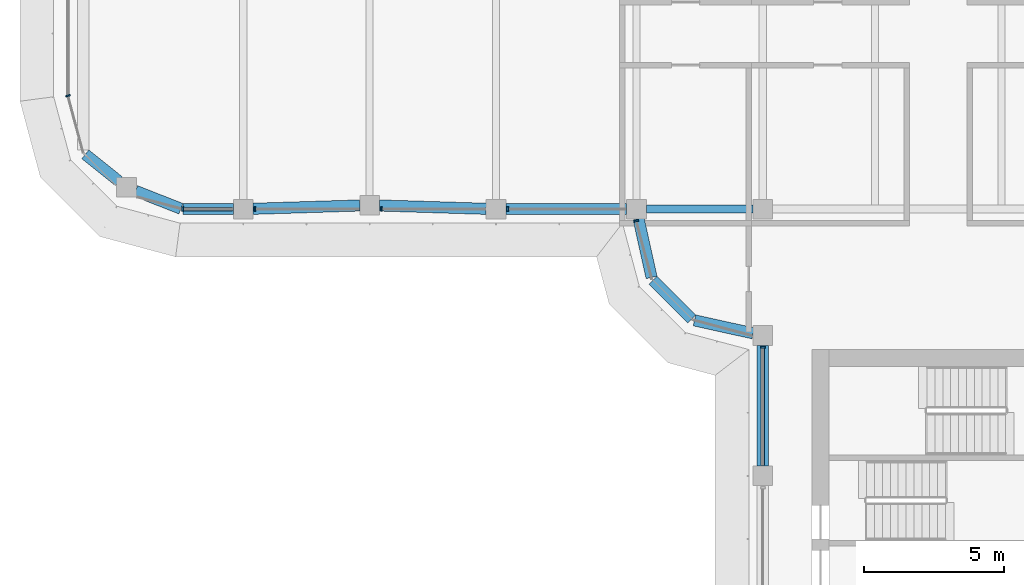
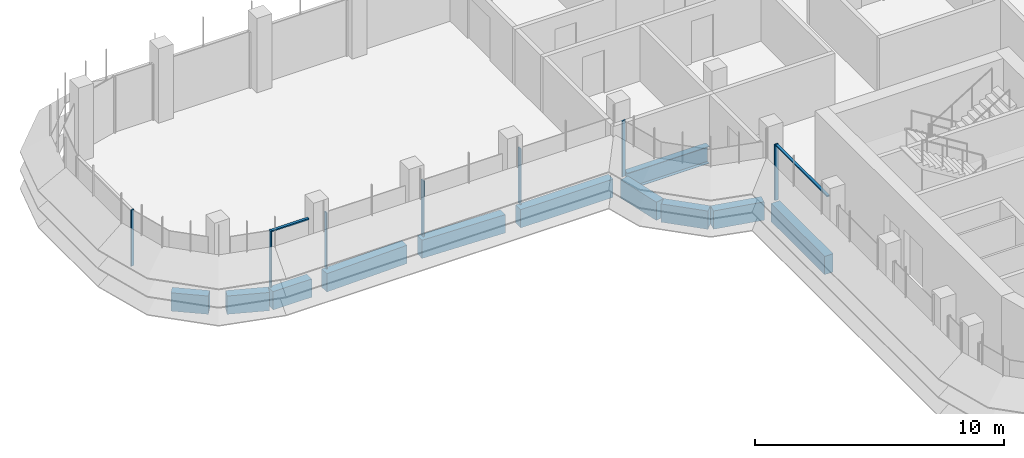
# One storey, part 3 of 19: 11 beams, 9 members, 4 elements without a shape of their own.
"""IFC4 building model written with IfcOpenShell, lengths in metres."""

from ifc_helpers import new_model, si_unit, direction, frame, origin, origin_2d, place, context, subcontext, project, spatial, polyline, rectangle, i_section, outline, extrude, source, transform, mapped, material, material_profile, profile_set, type_object, element, aggregate, save


model = new_model("IFC4")

# Units and contexts
model_context = context("Model", 3, precision=1e-05, world=origin(), true_north=direction((0.0, 1.0)))
body_context = subcontext(model_context, "Body", "Model", "MODEL_VIEW")
ifc_project = project(units=[si_unit("LENGTHUNIT", "METRE"), si_unit("AREAUNIT", "SQUARE_METRE"), si_unit("VOLUMEUNIT", "CUBIC_METRE"), si_unit("PLANEANGLEUNIT", "RADIAN"), si_unit("MASSUNIT", "GRAM", prefix="KILO")], contexts=[model_context])

# Site, building, storey
site_placement = place(None, origin())
site = spatial("IfcSite", under=ifc_project, at=site_placement, CompositionType="ELEMENT")
building_placement = place(site_placement, origin())
building = spatial("IfcBuilding", under=site, at=building_placement, Name="Zarbagh Exchange Tower", CompositionType="ELEMENT")
storey_placement = place(building_placement, frame((0.0, 0.0, 233.39990234375)))
storey = spatial("IfcBuildingStorey", under=building, at=storey_placement, Name="L57", CompositionType="ELEMENT", Elevation=233.39990234375)

# Beams
ifc_material_1 = material(Name="Steel ASTM A992 Gr 50", Category="steel")
ifc_material_profile_1 = material_profile(ifc_material_1, i_section(OverallWidth=0.2919921875, OverallDepth=0.835693359375, WebThickness=0.013916015625, FlangeThickness=0.018798828125, at=origin_2d()), Name="W33X118")
ifc_profile_set_1 = profile_set([ifc_material_profile_1], Name="Steel ASTM A992 Gr 50")
beam_type_1 = type_object("IfcBeamType", Name="Floor girder W33X118", PredefinedType="BEAM", material=ifc_profile_set_1)
beam_1_placement = place(storey_placement, frame((-10.39990234375, -6.25, -0.567626953125), z_axis=(1.0, 0.0, 0.0), x_axis=(0.0, 1.0, 0.0)))
element("IfcBeam", 1, at=beam_1_placement, inside=storey, type_object=beam_type_1, Name="Steel girder", PredefinedType="BEAM", context=body_context, shape_type="SweptSolid", body=[
    extrude(i_section(OverallWidth=0.2919921875, OverallDepth=0.835693359375, WebThickness=0.013916015625, FlangeThickness=0.018798828125, at=origin_2d()), origin(), (0.0, 0.0, 1.0), 3.7998046875),
])
ifc_material_2 = material(Name="Concrete C50/60", Category="concrete")
ifc_material_profile_2 = material_profile(ifc_material_2, rectangle(XDim=0.39990234375, YDim=0.89990234375, at=origin_2d()), Name="RC spandrel beam 400 x 900 C50/60")
ifc_profile_set_2 = profile_set([ifc_material_profile_2], Name="Concrete C50/60")
beam_type_2 = type_object("IfcBeamType", Name="RC spandrel beam 400 x 900 C50/60", PredefinedType="SPANDREL", material=ifc_profile_set_2)
beam_2_placement = place(storey_placement, frame((-6.25, -15.39990234375, -0.599853515625), z_axis=(0.0, 1.0, 0.0), x_axis=(-1.0, 0.0, 0.0)))
element("IfcBeam", 2, at=beam_2_placement, inside=storey, type_object=beam_type_2, Name="RC spandrel beam", PredefinedType="SPANDREL", context=body_context, shape_type="SweptSolid", body=[
    extrude(rectangle(XDim=0.39990234375, YDim=0.89990234375, at=origin_2d()), origin(), (0.0, 0.0, 1.0), 4.2998046875),
])
beam_3_placement = place(storey_placement, frame((-6.591796875, -10.67431640625, -0.599853515625), z_axis=(-0.97639036545, 0.216013551096, 0.0), x_axis=(-0.216013551096, -0.97639036545, 0.0)))
element("IfcBeam", 3, at=beam_3_placement, inside=storey, type_object=beam_type_2, Name="RC spandrel beam", PredefinedType="SPANDREL", context=body_context, shape_type="SweptSolid", body=[
    extrude(rectangle(XDim=0.39990234375, YDim=0.89990234375, at=origin_2d()), origin(), (0.0, 0.0, 1.0), 2.142822265625),
])
beam_4_placement = place(storey_placement, frame((-8.782470703125, -10.15771484375, -0.599853515625), z_axis=(-0.707106781187, 0.707106781187, 0.0), x_axis=(-0.707106781187, -0.707106781187, 0.0)))
element("IfcBeam", 4, at=beam_4_placement, inside=storey, type_object=beam_type_2, Name="RC spandrel beam", PredefinedType="SPANDREL", context=body_context, shape_type="SweptSolid", body=[
    extrude(rectangle(XDim=0.39990234375, YDim=0.89990234375, at=origin_2d()), origin(), (0.0, 0.0, 1.0), 1.94482421875),
])
beam_5_placement = place(storey_placement, frame((-10.21142578125, -8.68408203125, -0.599853515625), z_axis=(-0.216013551096, 0.97639036545, 0.0), x_axis=(-0.97639036545, -0.216013551096, 0.0)))
element("IfcBeam", 5, at=beam_5_placement, inside=storey, type_object=beam_type_2, Name="RC spandrel beam", PredefinedType="SPANDREL", context=body_context, shape_type="SweptSolid", body=[
    extrude(rectangle(XDim=0.39990234375, YDim=0.89990234375, at=origin_2d()), origin(), (0.0, 0.0, 1.0), 2.142822265625),
])
beam_6_placement = place(storey_placement, frame((-11.10009765625, -6.25, -0.599853515625), z_axis=(-1.0, 0.0, 0.0), x_axis=(0.0, -1.0, 0.0)))
element("IfcBeam", 6, at=beam_6_placement, inside=storey, type_object=beam_type_2, Name="RC spandrel beam", PredefinedType="SPANDREL", context=body_context, shape_type="SweptSolid", body=[
    extrude(rectangle(XDim=0.39990234375, YDim=0.89990234375, at=origin_2d()), origin(), (0.0, 0.0, 1.0), 4.2998046875),
])
for number, where, z_axis, x_axis, name in (
    (7, (-16.099853515625, -6.239013671875, -0.599853515625), (-0.999516950199, 0.031078389046, 0.0), (-0.031078389046, -0.999516950199, 0.0), "RC spandrel beam"),
    (8, (-20.599853515625, -6.120849609375, -0.599853515625), (-0.999516950199, -0.031078389046, 0.0), (0.031078389046, -0.999516950199, 0.0), "RC spandrel beam"),
):
    element("IfcBeam", number, at=place(storey_placement, frame(where, z_axis=z_axis, x_axis=x_axis)), inside=storey, type_object=beam_type_2, Name=name, PredefinedType="SPANDREL", context=body_context, shape_type="SweptSolid", body=[
        extrude(rectangle(XDim=0.39990234375, YDim=0.89990234375, at=origin_2d()), origin(), (0.0, 0.0, 1.0), 3.80224609375),
    ])
beam_7_placement = place(storey_placement, frame((-25.10009765625, -6.25, -0.599853515625), z_axis=(-1.0, 0.0, 0.0), x_axis=(0.0, -1.0, 0.0)))
element("IfcBeam", 9, at=beam_7_placement, inside=storey, type_object=beam_type_2, Name="RC spandrel beam", PredefinedType="SPANDREL", context=body_context, shape_type="SweptSolid", body=[
    extrude(rectangle(XDim=0.39990234375, YDim=0.89990234375, at=origin_2d()), origin(), (0.0, 0.0, 1.0), 1.796142578125),
])
beam_8_placement = place(storey_placement, frame((-26.969482421875, -6.236083984375, -0.599853515625), z_axis=(-0.930809711446, 0.365504146457, 0.0), x_axis=(-0.365504146457, -0.930809711446, 0.0)))
element("IfcBeam", 10, at=beam_8_placement, inside=storey, type_object=beam_type_2, Name="RC spandrel beam", PredefinedType="SPANDREL", context=body_context, shape_type="SweptSolid", body=[
    extrude(rectangle(XDim=0.39990234375, YDim=0.89990234375, at=origin_2d()), origin(), (0.0, 0.0, 1.0), 1.732666015625),
])
beam_9_placement = place(storey_placement, frame((-29.18115234375, -5.256103515625, -0.599853515625), z_axis=(-0.780634897504, 0.62498732531, 0.0), x_axis=(-0.62498732531, -0.780634897504, 0.0)))
element("IfcBeam", 11, at=beam_9_placement, inside=storey, type_object=beam_type_2, Name="RC spandrel beam", PredefinedType="SPANDREL", context=body_context, shape_type="SweptSolid", body=[
    extrude(rectangle(XDim=0.39990234375, YDim=0.89990234375, at=origin_2d()), origin(), (0.0, 0.0, 1.0), 1.52783203125),
])

# Curtain wall, member
ifc_material_3 = material(Name="Anodised aluminium frame and glazing", Category="aluminium")
curtain_wall_type = type_object("IfcCurtainWallType", Name="CWB Ribbon glazing, upper zones", PredefinedType="NOTDEFINED", material=ifc_material_3)
curtain_wall_1_placement = place(storey_placement, origin())
curtain_wall_1 = element("IfcCurtainWall", 12, at=curtain_wall_1_placement, inside=storey, type_object=curtain_wall_type, Name="CWB62 curtain wall", PredefinedType="NOTDEFINED")
ifc_material_4 = material(Name="Anodised aluminium frame", Category="aluminium")
member_type_1 = type_object("IfcMemberType", Name="MUB Mullion, anodised aluminium frame", PredefinedType="MULLION", material=ifc_material_4)
shared_shape_1 = source(origin(), body_context, "Body", "SweptSolid", [
    extrude(outline(polyline([(0.0, -0.080078125), (0.06005859375, -0.080078125), (0.06005859375, 0.080078125), (0.0, 0.080078125), (0.0, -0.080078125)])), origin(), (0.0, 0.0, 1.0), 2.75),
])
placement = place(storey_placement, origin())
member_1 = element("IfcMember", 13, at=placement, type_object=member_type_1, Name="CWB62 mullion 1.1", PredefinedType="MULLION", context=body_context, shape_type="MappedRepresentation", body=[
    mapped(shared_shape_1, transform((-31.0, -2.18408203125, 0.0), x_axis=(0.258824779902, -0.965924289636, 0.0), y_axis=(0.965924289636, 0.258824779902, 0.0), z_axis=(0.0, 0.0, 1.0))),
])
aggregate(curtain_wall_1, [member_1])

# Curtain wall, members
curtain_wall_2_placement = place(storey_placement, origin())
curtain_wall_2 = element("IfcCurtainWall", 14, at=curtain_wall_2_placement, inside=storey, type_object=curtain_wall_type, Name="CWB65 curtain wall", PredefinedType="NOTDEFINED")
member_2 = element("IfcMember", 15, at=placement, type_object=member_type_1, Name="CWB65 mullion 1.1", PredefinedType="MULLION", context=body_context, shape_type="MappedRepresentation", body=[
    mapped(shared_shape_1, transform((-26.93408203125, -6.25, 0.0), x_axis=(1.0, 0.0, 0.0), y_axis=(0.0, 1.0, 0.0), z_axis=(0.0, 0.0, 1.0))),
])
member_3 = element("IfcMember", 16, at=placement, type_object=member_type_1, Name="CWB65 mullion 2.1", PredefinedType="MULLION", context=body_context, shape_type="MappedRepresentation", body=[
    mapped(shared_shape_1, transform((-24.35986328125, -6.25, 0.0), x_axis=(1.0, 0.0, 0.0), y_axis=(0.0, 1.0, 0.0), z_axis=(0.0, 0.0, 1.0))),
])
member_4 = element("IfcMember", 17, at=placement, type_object=member_type_1, Name="CWB65 mullion 3.1", PredefinedType="MULLION", context=body_context, shape_type="MappedRepresentation", body=[
    mapped(shared_shape_1, transform((-19.85986328125, -6.25, 0.0), x_axis=(1.0, 0.0, 0.0), y_axis=(0.0, 1.0, 0.0), z_axis=(0.0, 0.0, 1.0))),
])
member_5 = element("IfcMember", 18, at=placement, type_object=member_type_1, Name="CWB65 mullion 4.1", PredefinedType="MULLION", context=body_context, shape_type="MappedRepresentation", body=[
    mapped(shared_shape_1, transform((-15.35986328125, -6.25, 0.0), x_axis=(1.0, 0.0, 0.0), y_axis=(0.0, 1.0, 0.0), z_axis=(0.0, 0.0, 1.0))),
])

# Curtain wall, member
curtain_wall_3_placement = place(storey_placement, origin())
curtain_wall_3 = element("IfcCurtainWall", 19, at=curtain_wall_3_placement, inside=storey, type_object=curtain_wall_type, Name="CWB41 curtain wall", PredefinedType="NOTDEFINED")
member_6 = element("IfcMember", 20, at=placement, type_object=member_type_1, Name="CWB41 mullion 1.1", PredefinedType="MULLION", context=body_context, shape_type="MappedRepresentation", body=[
    mapped(shared_shape_1, transform((-10.76171875, -6.64013671875, 0.0), x_axis=(0.258824779902, -0.965924289636, 0.0), y_axis=(0.965924289636, 0.258824779902, 0.0), z_axis=(0.0, 0.0, 1.0))),
])
aggregate(curtain_wall_3, [member_6])

curtain_wall_4_placement = place(storey_placement, origin())
curtain_wall_4 = element("IfcCurtainWall", 21, at=curtain_wall_4_placement, inside=storey, type_object=curtain_wall_type, Name="CWB53 curtain wall", PredefinedType="NOTDEFINED")
member_7 = element("IfcMember", 22, at=placement, type_object=member_type_1, Name="CWB53 mullion 1.1", PredefinedType="MULLION", context=body_context, shape_type="MappedRepresentation", body=[
    mapped(shared_shape_1, transform((-6.25, -11.14013671875, 0.0), x_axis=(0.0, -1.0, 0.0), y_axis=(1.0, 0.0, 0.0), z_axis=(0.0, 0.0, 1.0))),
])

# Member
member_type_2 = type_object("IfcMemberType", Name="TRB Transom, anodised aluminium frame", PredefinedType="USERDEFINED", material=ifc_material_4)
shared_shape_2 = source(origin(), body_context, "Body", "SweptSolid", [
    extrude(outline(polyline([(-0.06005859375, -0.06005859375), (0.0, -0.06005859375), (0.0, 0.06005859375), (-0.06005859375, 0.06005859375), (-0.06005859375, -0.06005859375)])), origin(), (0.0, 0.0, 1.0), 1.734130859375),
])
member_8 = element("IfcMember", 23, at=placement, type_object=member_type_2, Name="CWB65 transom 1.1", ObjectType="TRANSOM", PredefinedType="USERDEFINED", context=body_context, shape_type="MappedRepresentation", body=[
    mapped(shared_shape_2, transform((-26.874267578125, -6.25, 2.75), x_axis=(0.0, 0.0, 1.0), y_axis=(0.0, -1.0, 0.0), z_axis=(1.0, 0.0, 0.0))),
])

aggregate(curtain_wall_2, [member_2, member_8, member_3, member_4, member_5])

shared_shape_3 = source(origin(), body_context, "Body", "SweptSolid", [
    extrude(outline(polyline([(-0.06005859375, -0.06005859375), (0.0, -0.06005859375), (0.0, 0.06005859375), (-0.06005859375, 0.06005859375), (-0.06005859375, -0.06005859375)])), origin(), (0.0, 0.0, 1.0), 4.159912109375),
])
member_9 = element("IfcMember", 24, at=placement, type_object=member_type_2, Name="CWB53 transom 1.1", ObjectType="TRANSOM", PredefinedType="USERDEFINED", context=body_context, shape_type="MappedRepresentation", body=[
    mapped(shared_shape_3, transform((-6.25, -11.199951171875, 2.75), x_axis=(0.0, 0.0, 1.0), y_axis=(-1.0, 0.0, 0.0), z_axis=(0.0, -1.0, 0.0))),
])

aggregate(curtain_wall_4, [member_7, member_9])

save(model, "model.ifc")
